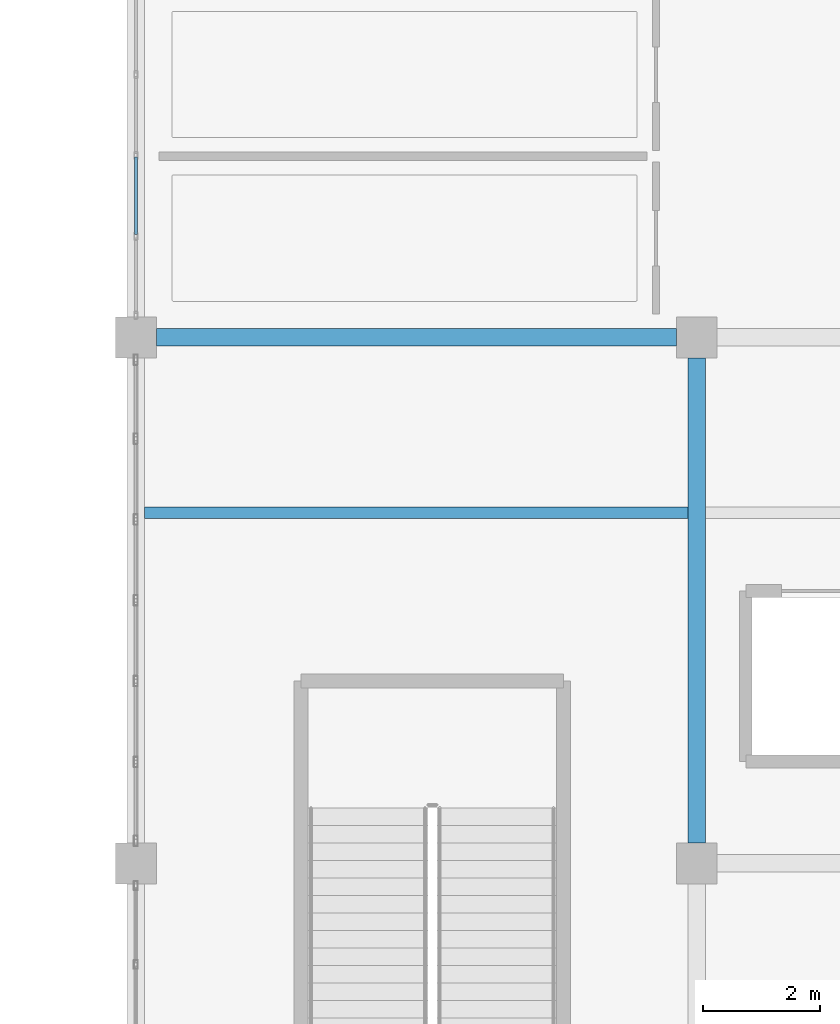
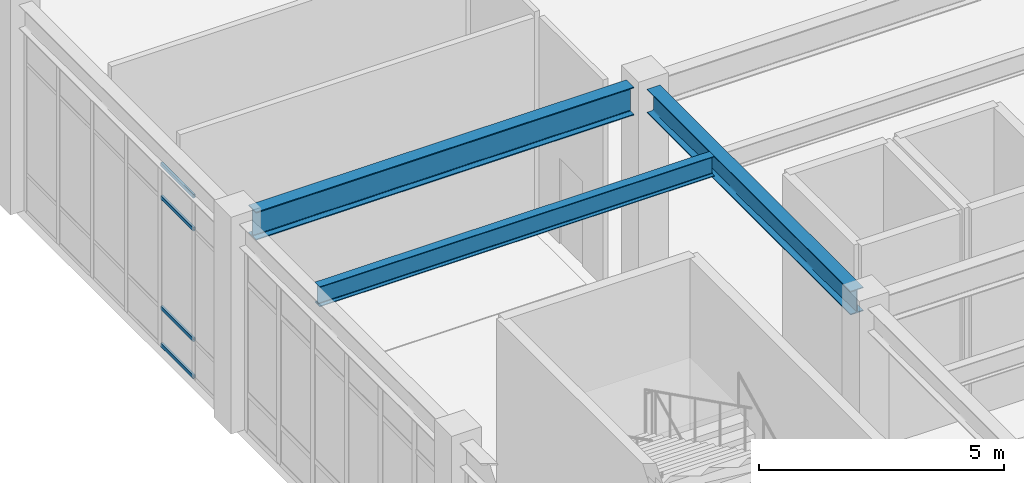
# One storey, part 14 of 80: 4 members, 3 beams, 1 element without a shape of its own.
"""IFC4 building model written with IfcOpenShell, lengths in metres."""

from ifc_helpers import new_model, si_unit, direction, frame, origin, origin_2d, place, context, subcontext, project, spatial, hollow_rectangle, i_section, extrude, material, material_profile, profile_set, type_object, element, aggregate, save


model = new_model("IFC4")

# Units and contexts
model_context = context("Model", 3, precision=1e-05, world=origin(), true_north=direction((0.0, 1.0)))
body_context = subcontext(model_context, "Body", "Model", "MODEL_VIEW")
ifc_project = project(units=[si_unit("LENGTHUNIT", "METRE"), si_unit("AREAUNIT", "SQUARE_METRE"), si_unit("VOLUMEUNIT", "CUBIC_METRE"), si_unit("PLANEANGLEUNIT", "RADIAN"), si_unit("MASSUNIT", "GRAM", prefix="KILO")], contexts=[model_context])

# Site, building, storey
site_placement = place(None, origin())
site = spatial("IfcSite", under=ifc_project, at=site_placement, CompositionType="ELEMENT")
building_placement = place(site_placement, origin())
building = spatial("IfcBuilding", under=site, at=building_placement, Name="Canglan Escarpment Cableway Terminal", CompositionType="ELEMENT")
storey_placement = place(building_placement, frame((0.0, 0.0, 19.199951171875)))
storey = spatial("IfcBuildingStorey", under=building, at=storey_placement, Name="L04", CompositionType="ELEMENT", Elevation=19.199951171875)

# Beams
ifc_material_1 = material(Name="Steel Q355C", Category="steel")
ifc_material_profile_1 = material_profile(ifc_material_1, i_section(OverallWidth=0.302001953125, OverallDepth=0.593994140625, WebThickness=0.013916015625, FlangeThickness=0.02294921875, FilletRadius=0.028076171875, at=origin_2d()), Name="HM 594x302x14x23")
ifc_profile_set_1 = profile_set([ifc_material_profile_1], Name="Steel Q355C")
beam_type_1 = type_object("IfcBeamType", Name="BM-HM594", PredefinedType="BEAM", material=ifc_profile_set_1)
beam_1_placement = place(storey_placement, frame((147.199951171875, 43.35009765625, 4.863037109375), z_axis=(0.0, 1.0, 0.0), x_axis=(-1.0, 0.0, 0.0)))
element("IfcBeam", 1, at=beam_1_placement, inside=storey, type_object=beam_type_1, Name="Primary transverse girder B-07", PredefinedType="BEAM", context=body_context, shape_type="SweptSolid", body=[
    extrude(i_section(OverallWidth=0.302001953125, OverallDepth=0.593994140625, WebThickness=0.013916015625, FlangeThickness=0.02294921875, FilletRadius=0.028076171875, at=origin_2d()), origin(), (0.0, 0.0, 1.0), 8.2998046875),
])
ifc_material_profile_2 = material_profile(ifc_material_1, i_section(OverallWidth=0.300048828125, OverallDepth=0.699951171875, WebThickness=0.012939453125, FlangeThickness=0.02392578125, FilletRadius=0.028076171875, at=origin_2d()), Name="HN 700x300x13x24")
ifc_profile_set_2 = profile_set([ifc_material_profile_2], Name="Steel Q355C")
beam_type_2 = type_object("IfcBeamType", Name="BM-HN700", PredefinedType="BEAM", material=ifc_profile_set_2)
beam_2_placement = place(storey_placement, frame((137.949951171875, 52.0, 4.81005859375), z_axis=(1.0, 0.0, 0.0), x_axis=(0.0, 1.0, 0.0)))
element("IfcBeam", 2, at=beam_2_placement, inside=storey, type_object=beam_type_2, Name="Primary structural girder B-06", PredefinedType="BEAM", context=body_context, shape_type="SweptSolid", body=[
    extrude(i_section(OverallWidth=0.300048828125, OverallDepth=0.699951171875, WebThickness=0.012939453125, FlangeThickness=0.02392578125, FilletRadius=0.028076171875, at=origin_2d()), origin(), (0.0, 0.0, 1.0), 8.900146484375),
])

# Curtain wall, members
ifc_material_2 = material(Name="Anodized bronze aluminium and Low-E double glazing", Category="aluminium")
curtain_wall_type = type_object("IfcCurtainWallType", Name="CW-BAY-8300x4550", PredefinedType="NOTDEFINED", material=ifc_material_2)
curtain_wall_placement = place(storey_placement, origin())
curtain_wall = element("IfcCurtainWall", 3, at=curtain_wall_placement, inside=storey, type_object=curtain_wall_type, Name="Classical bay-between-piers glazed curtain wall CW-64", PredefinedType="NOTDEFINED")
ifc_material_3 = material(Name="Thermally broken anodized aluminium 6063-T6", Category="aluminium")
ifc_material_profile_3 = material_profile(ifc_material_3, hollow_rectangle(XDim=0.054931640625, YDim=0.094970703125, WallThickness=0.0029296875, InnerFilletRadius=0.0029296875, OuterFilletRadius=0.006103515625, at=origin_2d()), Name="ALU-TRAN 55x95x3")
ifc_profile_set_3 = profile_set([ifc_material_profile_3], Name="Thermally broken anodized aluminium 6063-T6")
member_type = type_object("IfcMemberType", Name="CWT-01", PredefinedType="USERDEFINED", material=ifc_profile_set_3)
member_1_placement = place(storey_placement, frame((137.60009765625, 55.086669921875, 0.027587890625), z_axis=(0.0, -1.0, 0.0), x_axis=(1.0, 0.0, 0.0)))
member_1 = element("IfcMember", 4, at=member_1_placement, type_object=member_type, Name="CW-64 transom 5.1", ObjectType="TRANSOM", PredefinedType="USERDEFINED", context=body_context, shape_type="SweptSolid", body=[
    extrude(hollow_rectangle(XDim=0.054931640625, YDim=0.094970703125, WallThickness=0.0029296875, InnerFilletRadius=0.0029296875, OuterFilletRadius=0.006103515625, at=origin_2d()), origin(), (0.0, 0.0, 1.0), 1.3232421875),
])
member_2_placement = place(storey_placement, frame((137.60009765625, 55.086669921875, 0.949951171875), z_axis=(0.0, -1.0, 0.0), x_axis=(1.0, 0.0, 0.0)))
member_2 = element("IfcMember", 5, at=member_2_placement, type_object=member_type, Name="CW-64 transom 5.2", ObjectType="TRANSOM", PredefinedType="USERDEFINED", context=body_context, shape_type="SweptSolid", body=[
    extrude(hollow_rectangle(XDim=0.054931640625, YDim=0.094970703125, WallThickness=0.0029296875, InnerFilletRadius=0.0029296875, OuterFilletRadius=0.006103515625, at=origin_2d()), origin(), (0.0, 0.0, 1.0), 1.3232421875),
])
member_3_placement = place(storey_placement, frame((137.60009765625, 55.086669921875, 3.700927734375), z_axis=(0.0, -1.0, 0.0), x_axis=(1.0, 0.0, 0.0)))
member_3 = element("IfcMember", 6, at=member_3_placement, type_object=member_type, Name="CW-64 transom 5.3", ObjectType="TRANSOM", PredefinedType="USERDEFINED", context=body_context, shape_type="SweptSolid", body=[
    extrude(hollow_rectangle(XDim=0.054931640625, YDim=0.094970703125, WallThickness=0.0029296875, InnerFilletRadius=0.0029296875, OuterFilletRadius=0.006103515625, at=origin_2d()), origin(), (0.0, 0.0, 1.0), 1.3232421875),
])
member_4_placement = place(storey_placement, frame((137.60009765625, 55.086669921875, 4.5234375), z_axis=(0.0, -1.0, 0.0), x_axis=(1.0, 0.0, 0.0)))
member_4 = element("IfcMember", 7, at=member_4_placement, type_object=member_type, Name="CW-64 transom 5.4", ObjectType="TRANSOM", PredefinedType="USERDEFINED", context=body_context, shape_type="SweptSolid", body=[
    extrude(hollow_rectangle(XDim=0.054931640625, YDim=0.094970703125, WallThickness=0.0029296875, InnerFilletRadius=0.0029296875, OuterFilletRadius=0.006103515625, at=origin_2d()), origin(), (0.0, 0.0, 1.0), 1.3232421875),
])
aggregate(curtain_wall, [member_1, member_2, member_3, member_4])

# Beam
ifc_material_4 = material(Name="Steel Q355B", Category="steel")
ifc_material_profile_4 = material_profile(ifc_material_4, i_section(OverallWidth=0.199951171875, OverallDepth=0.5, WebThickness=0.010009765625, FlangeThickness=0.01611328125, FilletRadius=0.02001953125, at=origin_2d()), Name="HN 500x200x10x16")
ifc_profile_set_4 = profile_set([ifc_material_profile_4], Name="Steel Q355B")
beam_type_3 = type_object("IfcBeamType", Name="JS-HN500", PredefinedType="JOIST", material=ifc_profile_set_4)
beam_3_placement = place(storey_placement, frame((137.7509765625, 49.0, 4.91015625), z_axis=(1.0, 0.0, 0.0), x_axis=(0.0, 1.0, 0.0)))
element("IfcBeam", 8, at=beam_3_placement, inside=storey, type_object=beam_type_3, Name="Secondary composite deck joist J-01", PredefinedType="JOIST", context=body_context, shape_type="SweptSolid", body=[
    extrude(i_section(OverallWidth=0.199951171875, OverallDepth=0.5, WebThickness=0.010009765625, FlangeThickness=0.01611328125, FilletRadius=0.02001953125, at=origin_2d()), origin(), (0.0, 0.0, 1.0), 9.298095703125),
])

save(model, "model.ifc")
